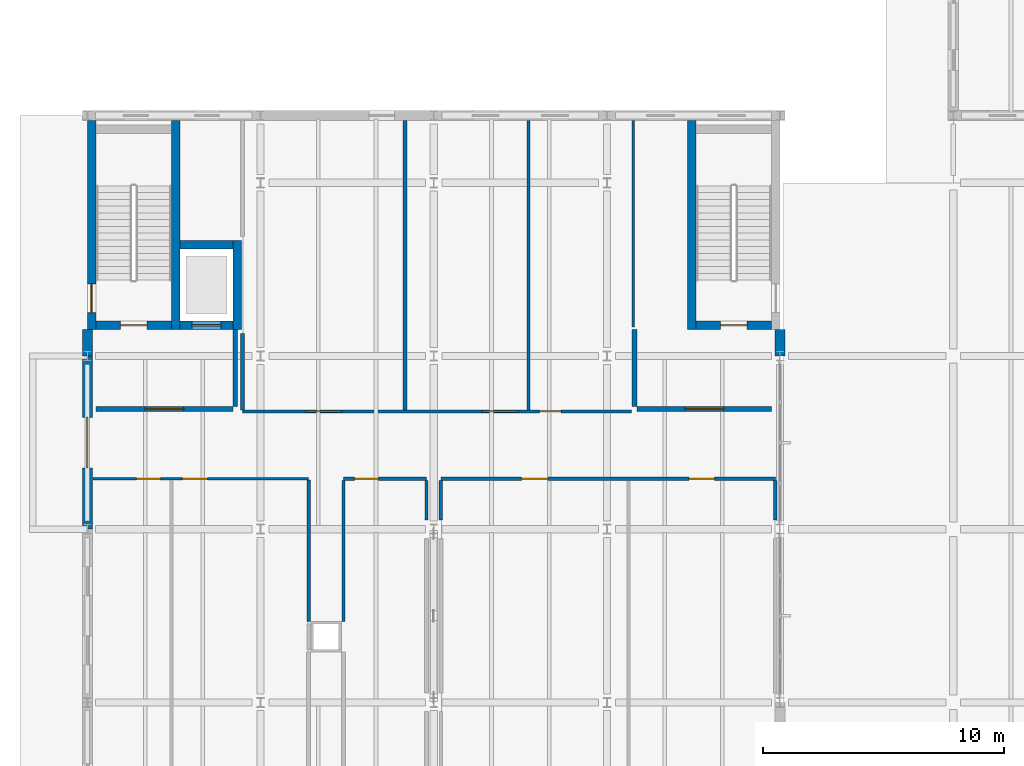
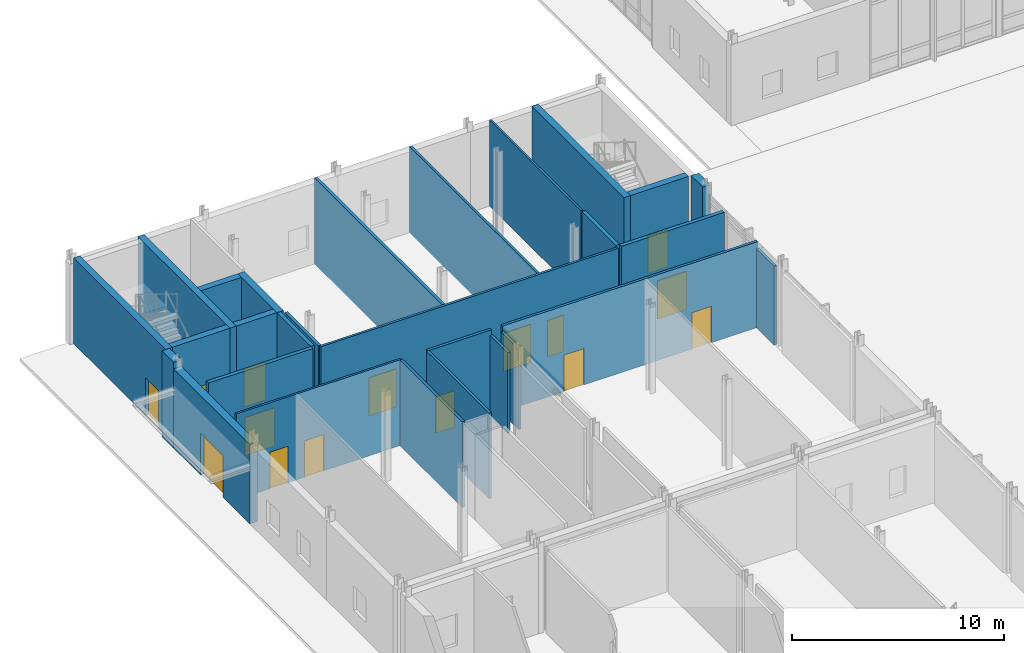
# One storey, part 66 of 89: 28 walls, 15 doors, 15 openings.
"""IFC4 building model written with IfcOpenShell, lengths in metres."""

from ifc_helpers import new_model, si_unit, direction, frame, frame_2d, origin, place, context, subcontext, project, spatial, rectangle, extrude, material, layer, layer_set, type_object, element, fill, save


model = new_model("IFC4")

# Units and contexts
model_context = context("Model", 3, precision=1e-05, world=origin(), true_north=direction((0.0, 1.0)))
body_context = subcontext(model_context, "Body", "Model", "MODEL_VIEW")
ifc_project = project(units=[si_unit("LENGTHUNIT", "METRE"), si_unit("AREAUNIT", "SQUARE_METRE"), si_unit("VOLUMEUNIT", "CUBIC_METRE"), si_unit("PLANEANGLEUNIT", "RADIAN"), si_unit("MASSUNIT", "GRAM", prefix="KILO")], contexts=[model_context])

# Site, building, storey
site_placement = place(None, origin())
site = spatial("IfcSite", under=ifc_project, at=site_placement, CompositionType="ELEMENT")
building_placement = place(site_placement, origin())
building = spatial("IfcBuilding", under=site, at=building_placement, Name="Zarrinpeak Specialist Clinic", CompositionType="ELEMENT")
storey_placement = place(building_placement, origin())
storey = spatial("IfcBuildingStorey", under=building, at=storey_placement, Name="L00", CompositionType="ELEMENT", Elevation=0.0)

# Wall, opening, door
ifc_material_1 = material(Name="Concrete C40/50", Category="concrete")
ifc_layer_1 = layer(ifc_material_1, 0.35009765625)
ifc_layer_set_1 = layer_set([ifc_layer_1], Name="Concrete C40/50")
wall_type_1 = type_object("IfcWallType", Name="WL-CR350", PredefinedType="SHEAR", material=ifc_layer_set_1)
wall_1_placement = place(storey_placement, frame((0.35009765625, 73.27490234375, 0.0), z_axis=(0.0, 0.0, 1.0), x_axis=(1.0, 0.0, 0.0)))
wall_1 = element("IfcWall", 1, at=wall_1_placement, inside=storey, type_object=wall_type_1, Name="L00 Core C09 Shear Wall STS", PredefinedType="SHEAR", context=body_context, shape_type="SweptSolid", body=[
    extrude(rectangle(XDim=3.14990234375, YDim=0.35009765625, at=frame_2d((1.574951171875, 0.0))), origin(), (0.0, 0.0, 1.0), 4.93994140625),
])
opening_1_placement = place(wall_1_placement, frame((1.02490234375, 0.0, 0.0)))
opening_1 = element("IfcOpeningElement", 2, at=opening_1_placement, cuts=wall_1, Name="Opening D-S02", PredefinedType="OPENING", context=body_context, shape_type="SweptSolid", body=[
    extrude(rectangle(XDim=1.10009765625, YDim=2.14990234375, at=frame_2d((0.550048828125, 1.074951171875))), frame((0.0, 0.18505859375, 0.0), z_axis=(0.0, -1.0, 0.0), x_axis=(1.0, 0.0, 0.0)), (0.0, 0.0, 1.0), 0.3701171875),
])
ifc_material_2 = material(Name="Powder-Coated Galvanised Steel", Category="steel")
door_type_1 = type_object("IfcDoorType", Name="DR-FD110", OperationType="SINGLE_SWING_RIGHT", PredefinedType="DOOR", material=ifc_material_2)
door_1_placement = place(opening_1_placement, origin())
door_1 = element("IfcDoor", 3, at=door_1_placement, inside=storey, type_object=door_type_1, Name="L00 Protected Stair ST-09 Fire Door", OperationType="SINGLE_SWING_RIGHT", OverallHeight=2.14990234375, OverallWidth=1.10009765625, PredefinedType="DOOR", context=body_context, shape_type="SweptSolid", body=[
    extrude(rectangle(XDim=1.10009765625, YDim=2.14990234375, at=frame_2d((0.550048828125, 1.074951171875))), frame((0.0, 0.02490234375, 0.0), z_axis=(0.0, -1.0, 0.0), x_axis=(1.0, 0.0, 0.0)), (0.0, 0.0, 1.0), 0.050048828125),
])
fill(opening_1, door_1)

wall_2_placement = place(storey_placement, frame((0.175048828125, 73.10009765625, 0.0), z_axis=(0.0, 0.0, 1.0), x_axis=(0.0, 1.0, 0.0)))
wall_2 = element("IfcWall", 4, at=wall_2_placement, inside=storey, type_object=wall_type_1, Name="L00 Core C09 Shear Wall STW", PredefinedType="SHEAR", context=body_context, shape_type="SweptSolid", body=[
    extrude(rectangle(XDim=8.68994140625, YDim=0.35009765625, at=frame_2d((4.344970703125, 0.0))), origin(), (0.0, 0.0, 1.0), 4.93994140625),
])
opening_2_placement = place(wall_2_placement, frame((0.699951171875, 0.0, 0.0)))
opening_2 = element("IfcOpeningElement", 5, at=opening_2_placement, cuts=wall_2, Name="Opening D-EX2", PredefinedType="OPENING", context=body_context, shape_type="SweptSolid", body=[
    extrude(rectangle(XDim=1.199951171875, YDim=2.14990234375, at=frame_2d((0.60009765625, 1.074951171875))), frame((0.0, 0.18505859375, 0.0), z_axis=(0.0, -1.0, 0.0), x_axis=(1.0, 0.0, 0.0)), (0.0, 0.0, 1.0), 0.3701171875),
])
ifc_material_3 = material(Name="Powder-Coated Steel and Safety Glazing", Category="steel")
door_type_2 = type_object("IfcDoorType", Name="DR-EX120", OperationType="SINGLE_SWING_LEFT", PredefinedType="DOOR", material=ifc_material_3)
door_2_placement = place(opening_2_placement, origin())
door_2 = element("IfcDoor", 6, at=door_2_placement, inside=storey, type_object=door_type_2, Name="L00 Protected Stair ST-09 Final Exit Discharge Door ED-09", OperationType="SINGLE_SWING_LEFT", OverallHeight=2.14990234375, OverallWidth=1.199951171875, PredefinedType="DOOR", context=body_context, shape_type="SweptSolid", body=[
    extrude(rectangle(XDim=1.199951171875, YDim=2.14990234375, at=frame_2d((0.60009765625, 1.074951171875))), frame((0.0, 0.02490234375, 0.0), z_axis=(0.0, -1.0, 0.0), x_axis=(1.0, 0.0, 0.0)), (0.0, 0.0, 1.0), 0.050048828125),
])
fill(opening_2, door_2)

# Wall
wall_3_placement = place(storey_placement, frame((3.675048828125, 73.10009765625, 0.0), z_axis=(0.0, 0.0, 1.0), x_axis=(0.0, 1.0, 0.0)))
element("IfcWall", 7, at=wall_3_placement, inside=storey, type_object=wall_type_1, Name="L00 Core C09 Shear Wall STE", PredefinedType="SHEAR", context=body_context, shape_type="SweptSolid", body=[
    extrude(rectangle(XDim=8.68994140625, YDim=0.35009765625, at=frame_2d((4.344970703125, 0.0))), origin(), (0.0, 0.0, 1.0), 4.93994140625),
])

# Wall, opening, door
wall_4_placement = place(storey_placement, frame((3.85009765625, 73.27490234375, 0.0), z_axis=(0.0, 0.0, 1.0), x_axis=(1.0, 0.0, 0.0)))
wall_4 = element("IfcWall", 8, at=wall_4_placement, inside=storey, type_object=wall_type_1, Name="L00 Lift LF-P5 Shaft Wall LFS", PredefinedType="SHEAR", context=body_context, shape_type="SweptSolid", body=[
    extrude(rectangle(XDim=2.199951171875, YDim=0.35009765625, at=frame_2d((1.10009765625, 0.0))), origin(), (0.0, 0.0, 1.0), 4.93994140625),
])
opening_3_placement = place(wall_4_placement, frame((0.5, 0.0, 0.0)))
opening_3 = element("IfcOpeningElement", 9, at=opening_3_placement, cuts=wall_4, Name="Opening LD-02", PredefinedType="OPENING", context=body_context, shape_type="SweptSolid", body=[
    extrude(rectangle(XDim=1.199951171875, YDim=2.199951171875, at=frame_2d((0.60009765625, 1.10009765625))), frame((0.0, 0.18505859375, 0.0), z_axis=(0.0, -1.0, 0.0), x_axis=(1.0, 0.0, 0.0)), (0.0, 0.0, 1.0), 0.3701171875),
])
door_type_3 = type_object("IfcDoorType", Name="DR-LD120", OperationType="SLIDING_TO_RIGHT", PredefinedType="DOOR", material=ifc_material_2)
door_3_placement = place(opening_3_placement, origin())
door_3 = element("IfcDoor", 10, at=door_3_placement, inside=storey, type_object=door_type_3, Name="L00 Lift LF-P5 Sliding Landing Door", OperationType="SLIDING_TO_RIGHT", OverallHeight=2.199951171875, OverallWidth=1.199951171875, PredefinedType="DOOR", context=body_context, shape_type="SweptSolid", body=[
    extrude(rectangle(XDim=1.199951171875, YDim=2.199951171875, at=frame_2d((0.60009765625, 1.10009765625))), frame((0.0, 0.02490234375, 0.0), z_axis=(0.0, -1.0, 0.0), x_axis=(1.0, 0.0, 0.0)), (0.0, 0.0, 1.0), 0.050048828125),
])
fill(opening_3, door_3)

# Walls
wall_5_placement = place(storey_placement, frame((3.85009765625, 76.625, 0.0), z_axis=(0.0, 0.0, 1.0), x_axis=(1.0, 0.0, 0.0)))
element("IfcWall", 11, at=wall_5_placement, inside=storey, type_object=wall_type_1, Name="L00 Lift LF-P5 Shaft Wall LFN", PredefinedType="SHEAR", context=body_context, shape_type="SweptSolid", body=[
    extrude(rectangle(XDim=2.199951171875, YDim=0.35009765625, at=frame_2d((1.10009765625, 0.0))), origin(), (0.0, 0.0, 1.0), 4.93994140625),
])
wall_6_placement = place(storey_placement, frame((6.22509765625, 73.10009765625, 0.0), z_axis=(0.0, 0.0, 1.0), x_axis=(0.0, 1.0, 0.0)))
element("IfcWall", 12, at=wall_6_placement, inside=storey, type_object=wall_type_1, Name="L00 Lift LF-P5 Shaft Wall LFE", PredefinedType="SHEAR", context=body_context, shape_type="SweptSolid", body=[
    extrude(rectangle(XDim=3.699951171875, YDim=0.35009765625, at=frame_2d((1.85009765625, 0.0))), origin(), (0.0, 0.0, 1.0), 4.93994140625),
])

# Wall, opening, door
wall_7_placement = place(storey_placement, frame((25.300048828125, 73.27490234375, 0.0), z_axis=(0.0, 0.0, 1.0), x_axis=(1.0, 0.0, 0.0)))
wall_7 = element("IfcWall", 13, at=wall_7_placement, inside=storey, type_object=wall_type_1, Name="L00 Core C10 Shear Wall STS", PredefinedType="SHEAR", context=body_context, shape_type="SweptSolid", body=[
    extrude(rectangle(XDim=3.14990234375, YDim=0.35009765625, at=frame_2d((1.574951171875, 0.0))), origin(), (0.0, 0.0, 1.0), 4.93994140625),
])
opening_4_placement = place(wall_7_placement, frame((1.02490234375, 0.0, 0.0)))
opening_4 = element("IfcOpeningElement", 14, at=opening_4_placement, cuts=wall_7, Name="Opening D-S02", PredefinedType="OPENING", context=body_context, shape_type="SweptSolid", body=[
    extrude(rectangle(XDim=1.10009765625, YDim=2.14990234375, at=frame_2d((0.550048828125, 1.074951171875))), frame((0.0, 0.18505859375, 0.0), z_axis=(0.0, -1.0, 0.0), x_axis=(1.0, 0.0, 0.0)), (0.0, 0.0, 1.0), 0.3701171875),
])
door_4_placement = place(opening_4_placement, origin())
door_4 = element("IfcDoor", 15, at=door_4_placement, inside=storey, type_object=door_type_1, Name="L00 Protected Stair ST-10 Fire Door", OperationType="SINGLE_SWING_RIGHT", OverallHeight=2.14990234375, OverallWidth=1.10009765625, PredefinedType="DOOR", context=body_context, shape_type="SweptSolid", body=[
    extrude(rectangle(XDim=1.10009765625, YDim=2.14990234375, at=frame_2d((0.550048828125, 1.074951171875))), frame((0.0, 0.02490234375, 0.0), z_axis=(0.0, -1.0, 0.0), x_axis=(1.0, 0.0, 0.0)), (0.0, 0.0, 1.0), 0.050048828125),
])
fill(opening_4, door_4)

# Wall
wall_8_placement = place(storey_placement, frame((25.125, 73.10009765625, 0.0), z_axis=(0.0, 0.0, 1.0), x_axis=(0.0, 1.0, 0.0)))
element("IfcWall", 16, at=wall_8_placement, inside=storey, type_object=wall_type_1, Name="L00 Core C10 Shear Wall STW", PredefinedType="SHEAR", context=body_context, shape_type="SweptSolid", body=[
    extrude(rectangle(XDim=8.68994140625, YDim=0.35009765625, at=frame_2d((4.344970703125, 0.0))), origin(), (0.0, 0.0, 1.0), 4.93994140625),
])

# Wall, opening, door
ifc_material_4 = material(Name="Precast concrete C40/50", Category="concrete")
ifc_layer_2 = layer(ifc_material_4, 0.419921875)
ifc_layer_set_2 = layer_set([ifc_layer_2], Name="Precast concrete C40/50")
wall_type_2 = type_object("IfcWallType", Name="WL-EW420", PredefinedType="STANDARD", material=ifc_layer_set_2)
wall_9_placement = place(storey_placement, frame((0.0, 72.0, 0.0), z_axis=(0.0, 0.0, 1.0), x_axis=(0.0, -1.0, 0.0)))
wall_9 = element("IfcWall", 17, at=wall_9_placement, inside=storey, type_object=wall_type_2, Name="L00 V5 Exterior GRC Wall EW-L00-V5-0221", PredefinedType="STANDARD", context=body_context, shape_type="SweptSolid", body=[
    extrude(rectangle(XDim=7.199951171875, YDim=0.419921875, at=frame_2d((3.60009765625, 0.0))), origin(), (0.0, 0.0, 1.0), 4.56494140625),
])
opening_5_placement = place(wall_9_placement, frame((2.550048828125, 0.0, 0.0)))
opening_5 = element("IfcOpeningElement", 18, at=opening_5_placement, cuts=wall_9, Name="Opening D-E02", PredefinedType="OPENING", context=body_context, shape_type="SweptSolid", body=[
    extrude(rectangle(XDim=2.10009765625, YDim=2.39990234375, at=frame_2d((1.050048828125, 1.199951171875))), frame((0.0, 0.219970703125, 0.0), z_axis=(0.0, -1.0, 0.0), x_axis=(1.0, 0.0, 0.0)), (0.0, 0.0, 1.0), 0.43994140625),
])
door_type_4 = type_object("IfcDoorType", Name="DR-ENT210", OperationType="DOUBLE_DOOR_SINGLE_SWING", PredefinedType="DOOR", material=ifc_material_3)
door_5_placement = place(opening_5_placement, origin())
door_5 = element("IfcDoor", 19, at=door_5_placement, inside=storey, type_object=door_type_4, Name="V5 Imaging West Ambulance Entrance", OperationType="DOUBLE_DOOR_SINGLE_SWING", OverallHeight=2.39990234375, OverallWidth=2.10009765625, PredefinedType="DOOR", context=body_context, shape_type="SweptSolid", body=[
    extrude(rectangle(XDim=2.10009765625, YDim=2.39990234375, at=frame_2d((1.050048828125, 1.199951171875))), frame((0.0, 0.02490234375, 0.0), z_axis=(0.0, -1.0, 0.0), x_axis=(1.0, 0.0, 0.0)), (0.0, 0.0, 1.0), 0.050048828125),
])
fill(opening_5, door_5)

# Walls
for number, where, z_axis, x_axis, name in (
    (20, (0.0, 73.10009765625, 0.0), (0.0, 0.0, 1.0), (0.0, -1.0, 0.0), "L00 V5 Exterior GRC Wall EW-L00-V5-0222"),
    (21, (28.800048828125, 72.0, 0.0), (0.0, 0.0, 1.0), (0.0, 1.0, 0.0), "L00 V5 Exterior GRC Wall EW-L00-V5-0224"),
):
    element("IfcWall", number, at=place(storey_placement, frame(where, z_axis=z_axis, x_axis=x_axis)), inside=storey, type_object=wall_type_2, Name=name, PredefinedType="STANDARD", context=body_context, shape_type="SweptSolid", body=[
        extrude(rectangle(XDim=1.10009765625, YDim=0.419921875, at=frame_2d((0.550048828125, 0.0))), origin(), (0.0, 0.0, 1.0), 4.93994140625),
    ])

# Wall, openings, doors
ifc_material_5 = material(Name="Sanitary Service Chase Plumbing Wall", Category="gypsum")
ifc_layer_3 = layer(ifc_material_5, 0.110107421875)
ifc_layer_set_3 = layer_set([ifc_layer_3], Name="Sanitary Service Chase Plumbing Wall")
wall_type_3 = type_object("IfcWallType", Name="WL-IW110", PredefinedType="PARTITIONING", material=ifc_layer_set_3)
wall_10_placement = place(storey_placement, frame((0.22998046875, 66.89990234375, 0.0), z_axis=(0.0, 0.0, 1.0), x_axis=(1.0, 0.0, 0.0)))
wall_10 = element("IfcWall", 22, at=wall_10_placement, inside=storey, type_object=wall_type_3, Name="L00 Accessible Gowning WC Partition", PredefinedType="PARTITIONING", context=body_context, shape_type="SweptSolid", body=[
    extrude(rectangle(XDim=8.969970703125, YDim=0.110107421875, at=frame_2d((4.48486328125, 0.0))), origin(), (0.0, 0.0, 1.0), 4.93994140625),
])
opening_6_placement = place(wall_10_placement, frame((1.820068359375, 0.0, 0.0)))
opening_6 = element("IfcOpeningElement", 23, at=opening_6_placement, cuts=wall_10, Name="Opening D-W02", PredefinedType="OPENING", context=body_context, shape_type="SweptSolid", body=[
    extrude(rectangle(XDim=1.0, YDim=2.10009765625, at=frame_2d((0.5, 1.050048828125))), frame((0.0, 0.06494140625, 0.0), z_axis=(0.0, -1.0, 0.0), x_axis=(1.0, 0.0, 0.0)), (0.0, 0.0, 1.0), 0.130126953125),
])
opening_7_placement = place(wall_10_placement, frame((3.719970703125, 0.0, 0.0)))
opening_7 = element("IfcOpeningElement", 24, at=opening_7_placement, cuts=wall_10, Name="Opening DS-33", PredefinedType="OPENING", context=body_context, shape_type="SweptSolid", body=[
    extrude(rectangle(XDim=1.035888671875, YDim=2.095947265625, at=frame_2d((0.51806640625, 1.0478515625))), frame((0.0, 0.06494140625, 0.0), z_axis=(0.0, -1.0, 0.0), x_axis=(1.0, 0.0, 0.0)), (0.0, 0.0, 1.0), 0.130126953125),
])
door_type_5 = type_object("IfcDoorType", Name="DR-AWC100", OperationType="SLIDING_TO_LEFT", PredefinedType="DOOR", material=ifc_material_2)
door_6_placement = place(opening_6_placement, origin())
door_6 = element("IfcDoor", 25, at=door_6_placement, inside=storey, type_object=door_type_5, Name="L00 Accessible Gowning WC Door", OperationType="SLIDING_TO_LEFT", OverallHeight=2.10009765625, OverallWidth=1.0, PredefinedType="DOOR", context=body_context, shape_type="SweptSolid", body=[
    extrude(rectangle(XDim=1.0, YDim=2.10009765625, at=frame_2d((0.5, 1.050048828125))), frame((0.0, 0.02490234375, 0.0), z_axis=(0.0, -1.0, 0.0), x_axis=(1.0, 0.0, 0.0)), (0.0, 0.0, 1.0), 0.050048828125),
])
fill(opening_6, door_6)
door_type_6 = type_object("IfcDoorType", Name="DR-SP33", OperationType="SINGLE_SWING_RIGHT", PredefinedType="DOOR", material=ifc_material_2)
door_7_placement = place(opening_7_placement, origin())
door_7 = element("IfcDoor", 26, at=door_7_placement, inside=storey, type_object=door_type_6, Name="L00 Imaging Gowning Waiting Area Door", OperationType="SINGLE_SWING_RIGHT", OverallHeight=2.095947265625, OverallWidth=1.035888671875, PredefinedType="DOOR", context=body_context, shape_type="SweptSolid", body=[
    extrude(rectangle(XDim=1.035888671875, YDim=2.095947265625, at=frame_2d((0.51806640625, 1.0478515625))), frame((0.0, 0.02490234375, 0.0), z_axis=(0.0, -1.0, 0.0), x_axis=(1.0, 0.0, 0.0)), (0.0, 0.0, 1.0), 0.050048828125),
])
fill(opening_7, door_7)

# Wall
wall_11_placement = place(storey_placement, frame((22.699951171875, 73.199951171875, 0.0), z_axis=(0.0, 0.0, 1.0), x_axis=(0.0, 1.0, 0.0)))
element("IfcWall", 27, at=wall_11_placement, inside=storey, type_object=wall_type_3, Name="L00 Contrast Prep Washroom Dividing Partition", PredefinedType="PARTITIONING", context=body_context, shape_type="SweptSolid", body=[
    extrude(rectangle(XDim=8.60009765625, YDim=0.110107421875, at=frame_2d((4.300048828125, 0.0))), origin(), (0.0, 0.0, 1.0), 4.93994140625),
])

# Wall, openings, doors
ifc_material_6 = material(Name="Moisture-Resistant Wet-Room Partition", Category="gypsum")
ifc_layer_4 = layer(ifc_material_6, 0.125)
ifc_layer_set_4 = layer_set([ifc_layer_4], Name="Moisture-Resistant Wet-Room Partition")
wall_type_4 = type_object("IfcWallType", Name="WL-IW125W", PredefinedType="PARTITIONING", material=ifc_layer_set_4)
wall_12_placement = place(storey_placement, frame((6.449951171875, 69.699951171875, 0.0), z_axis=(0.0, 0.0, 1.0), x_axis=(1.0, 0.0, 0.0)))
wall_12 = element("IfcWall", 28, at=wall_12_placement, inside=storey, type_object=wall_type_4, Name="L00 Contrast Prep Washroom Partition", PredefinedType="PARTITIONING", context=body_context, shape_type="SweptSolid", body=[
    extrude(rectangle(XDim=16.179931640625, YDim=0.125, at=frame_2d((8.08984375, 0.0))), origin(), (0.0, 0.0, 1.0), 4.93994140625),
])
opening_8_placement = place(wall_12_placement, frame((12.35009765625, 0.0, 0.0)))
opening_8 = element("IfcOpeningElement", 29, at=opening_8_placement, cuts=wall_12, Name="Opening D-W01", PredefinedType="OPENING", context=body_context, shape_type="SweptSolid", body=[
    extrude(rectangle(XDim=0.89990234375, YDim=2.10009765625, at=frame_2d((0.449951171875, 1.050048828125))), frame((0.0, 0.072509765625, 0.0), z_axis=(0.0, -1.0, 0.0), x_axis=(1.0, 0.0, 0.0)), (0.0, 0.0, 1.0), 0.14501953125),
])
opening_9_placement = place(wall_12_placement, frame((9.949951171875, 0.0, 0.0)))
opening_9 = element("IfcOpeningElement", 30, at=opening_9_placement, cuts=wall_12, Name="Opening D-B01", PredefinedType="OPENING", context=body_context, shape_type="SweptSolid", body=[
    extrude(rectangle(XDim=1.5, YDim=2.199951171875, at=frame_2d((0.75, 1.10009765625))), frame((0.0, 0.072509765625, 0.0), z_axis=(0.0, -1.0, 0.0), x_axis=(1.0, 0.0, 0.0)), (0.0, 0.0, 1.0), 0.14501953125),
])
opening_10_placement = place(wall_12_placement, frame((2.625, 0.0, 0.0)))
opening_10 = element("IfcOpeningElement", 31, at=opening_10_placement, cuts=wall_12, Name="Opening D-B01", PredefinedType="OPENING", context=body_context, shape_type="SweptSolid", body=[
    extrude(rectangle(XDim=1.5, YDim=2.199951171875, at=frame_2d((0.75, 1.10009765625))), frame((0.0, 0.072509765625, 0.0), z_axis=(0.0, -1.0, 0.0), x_axis=(1.0, 0.0, 0.0)), (0.0, 0.0, 1.0), 0.14501953125),
])
door_type_7 = type_object("IfcDoorType", Name="DR-BED150", OperationType="DOUBLE_DOOR_SINGLE_SWING", PredefinedType="DOOR", material=ifc_material_2)
door_8_placement = place(opening_9_placement, frame((1.5, 0.0, 0.0), z_axis=(0.0, 0.0, 1.0), x_axis=(-1.0, 0.0, 0.0)))
door_8 = element("IfcDoor", 32, at=door_8_placement, inside=storey, type_object=door_type_7, Name="L00 3T MRI Diagnostic Suite Door", OperationType="DOUBLE_DOOR_SINGLE_SWING", OverallHeight=2.199951171875, OverallWidth=1.5, PredefinedType="DOOR", context=body_context, shape_type="SweptSolid", body=[
    extrude(rectangle(XDim=1.5, YDim=2.199951171875, at=frame_2d((0.75, 1.10009765625))), frame((0.0, 0.02490234375, 0.0), z_axis=(0.0, -1.0, 0.0), x_axis=(1.0, 0.0, 0.0)), (0.0, 0.0, 1.0), 0.050048828125),
])
fill(opening_9, door_8)
door_9_placement = place(opening_10_placement, frame((1.5, 0.0, 0.0), z_axis=(0.0, 0.0, 1.0), x_axis=(-1.0, 0.0, 0.0)))
door_9 = element("IfcDoor", 33, at=door_9_placement, inside=storey, type_object=door_type_7, Name="L00 128-Slice CT Scanner Suite Door", OperationType="DOUBLE_DOOR_SINGLE_SWING", OverallHeight=2.199951171875, OverallWidth=1.5, PredefinedType="DOOR", context=body_context, shape_type="SweptSolid", body=[
    extrude(rectangle(XDim=1.5, YDim=2.199951171875, at=frame_2d((0.75, 1.10009765625))), frame((0.0, 0.02490234375, 0.0), z_axis=(0.0, -1.0, 0.0), x_axis=(1.0, 0.0, 0.0)), (0.0, 0.0, 1.0), 0.050048828125),
])
fill(opening_10, door_9)
door_type_8 = type_object("IfcDoorType", Name="DR-WC90", OperationType="SINGLE_SWING_RIGHT", PredefinedType="DOOR", material=ifc_material_2)
door_10_placement = place(opening_8_placement, frame((0.89990234375, 0.0, 0.0), z_axis=(0.0, 0.0, 1.0), x_axis=(-1.0, 0.0, 0.0)))
door_10 = element("IfcDoor", 34, at=door_10_placement, inside=storey, type_object=door_type_8, Name="L00 Contrast Prep Washroom Door", OperationType="SINGLE_SWING_RIGHT", OverallHeight=2.10009765625, OverallWidth=0.89990234375, PredefinedType="DOOR", context=body_context, shape_type="SweptSolid", body=[
    extrude(rectangle(XDim=0.89990234375, YDim=2.10009765625, at=frame_2d((0.449951171875, 1.050048828125))), frame((0.0, 0.02490234375, 0.0), z_axis=(0.0, -1.0, 0.0), x_axis=(1.0, 0.0, 0.0)), (0.0, 0.0, 1.0), 0.050048828125),
])
fill(opening_8, door_10)

# Wall
wall_13_placement = place(storey_placement, frame((18.35009765625, 69.762451171875, 0.0), z_axis=(0.0, 0.0, 1.0), x_axis=(0.0, 1.0, 0.0)))
element("IfcWall", 35, at=wall_13_placement, inside=storey, type_object=wall_type_4, Name="L00 Contrast Prep Washroom Dividing Partition", PredefinedType="PARTITIONING", context=body_context, shape_type="SweptSolid", body=[
    extrude(rectangle(XDim=12.03759765625, YDim=0.125, at=frame_2d((6.018798828125, 0.0))), origin(), (0.0, 0.0, 1.0), 4.93994140625),
])

# Wall, openings, doors
ifc_material_7 = material(Name="Acoustic Consultation Stud Partition", Category="gypsum")
ifc_layer_5 = layer(ifc_material_7, 0.14208984375)
ifc_layer_set_5 = layer_set([ifc_layer_5], Name="Acoustic Consultation Stud Partition")
wall_type_5 = type_object("IfcWallType", Name="WL-IW142", PredefinedType="PARTITIONING", material=ifc_layer_set_5)
wall_14_placement = place(storey_placement, frame((14.699951171875, 66.89990234375, 0.0), z_axis=(0.0, 0.0, 1.0), x_axis=(1.0, 0.0, 0.0)))
wall_14 = element("IfcWall", 36, at=wall_14_placement, inside=storey, type_object=wall_type_5, Name="L00 Specialist Consultation Room 1 Partition", PredefinedType="PARTITIONING", context=body_context, shape_type="SweptSolid", body=[
    extrude(rectangle(XDim=13.900146484375, YDim=0.14208984375, at=frame_2d((6.9501953125, 0.0))), origin(), (0.0, 0.0, 1.0), 4.93994140625),
])
opening_11_placement = place(wall_14_placement, frame((10.319091796875, 0.0, 0.0)))
opening_11 = element("IfcOpeningElement", 37, at=opening_11_placement, cuts=wall_14, Name="Opening DS-34", PredefinedType="OPENING", context=body_context, shape_type="SweptSolid", body=[
    extrude(rectangle(XDim=1.06201171875, YDim=2.095947265625, at=frame_2d((0.531005859375, 1.0478515625))), frame((0.0, 0.0810546875, 0.0), z_axis=(0.0, -1.0, 0.0), x_axis=(1.0, 0.0, 0.0)), (0.0, 0.0, 1.0), 0.162109375),
])
opening_12_placement = place(wall_14_placement, frame((3.35595703125, 0.0, 0.0)))
opening_12 = element("IfcOpeningElement", 38, at=opening_12_placement, cuts=wall_14, Name="Opening DS-35", PredefinedType="OPENING", context=body_context, shape_type="SweptSolid", body=[
    extrude(rectangle(XDim=1.087890625, YDim=2.095947265625, at=frame_2d((0.5439453125, 1.0478515625))), frame((0.0, 0.0810546875, 0.0), z_axis=(0.0, -1.0, 0.0), x_axis=(1.0, 0.0, 0.0)), (0.0, 0.0, 1.0), 0.162109375),
])
door_type_9 = type_object("IfcDoorType", Name="DR-SP34", OperationType="SINGLE_SWING_LEFT", PredefinedType="DOOR", material=ifc_material_2)
door_11_placement = place(opening_11_placement, origin())
door_11 = element("IfcDoor", 39, at=door_11_placement, inside=storey, type_object=door_type_9, Name="L00 Specialist Consultation Room 1 Door", OperationType="SINGLE_SWING_LEFT", OverallHeight=2.095947265625, OverallWidth=1.06201171875, PredefinedType="DOOR", context=body_context, shape_type="SweptSolid", body=[
    extrude(rectangle(XDim=1.06201171875, YDim=2.095947265625, at=frame_2d((0.531005859375, 1.0478515625))), frame((0.0, 0.02490234375, 0.0), z_axis=(0.0, -1.0, 0.0), x_axis=(1.0, 0.0, 0.0)), (0.0, 0.0, 1.0), 0.050048828125),
])
fill(opening_11, door_11)
door_type_10 = type_object("IfcDoorType", Name="DR-SP35", OperationType="SINGLE_SWING_RIGHT", PredefinedType="DOOR", material=ifc_material_2)
door_12_placement = place(opening_12_placement, origin())
door_12 = element("IfcDoor", 40, at=door_12_placement, inside=storey, type_object=door_type_10, Name="L00 Specialist Consultation Room 2 Door", OperationType="SINGLE_SWING_RIGHT", OverallHeight=2.095947265625, OverallWidth=1.087890625, PredefinedType="DOOR", context=body_context, shape_type="SweptSolid", body=[
    extrude(rectangle(XDim=1.087890625, YDim=2.095947265625, at=frame_2d((0.5439453125, 1.0478515625))), frame((0.0, 0.02490234375, 0.0), z_axis=(0.0, -1.0, 0.0), x_axis=(1.0, 0.0, 0.0)), (0.0, 0.0, 1.0), 0.050048828125),
])
fill(opening_12, door_12)

# Walls
wall_15_placement = place(storey_placement, frame((9.199951171875, 60.9599609375, 0.0), z_axis=(0.0, 0.0, 1.0), x_axis=(0.0, 1.0, 0.0)))
element("IfcWall", 41, at=wall_15_placement, inside=storey, type_object=wall_type_5, Name="L00 Imaging Gowning Waiting Area Dividing Partition", PredefinedType="PARTITIONING", context=body_context, shape_type="SweptSolid", body=[
    extrude(rectangle(XDim=5.885009765625, YDim=0.14208984375, at=frame_2d((2.9423828125, 0.0))), origin(), (0.0, 0.0, 1.0), 4.93994140625),
])
wall_16_placement = place(storey_placement, frame((10.64990234375, 60.9599609375, 0.0), z_axis=(0.0, 0.0, 1.0), x_axis=(0.0, 1.0, 0.0)))
element("IfcWall", 42, at=wall_16_placement, inside=storey, type_object=wall_type_5, Name="L00 Radiology Reporting Control Room Dividing Partition", PredefinedType="PARTITIONING", context=body_context, shape_type="SweptSolid", body=[
    extrude(rectangle(XDim=5.864990234375, YDim=0.14208984375, at=frame_2d((2.9326171875, 0.0))), origin(), (0.0, 0.0, 1.0), 4.93994140625),
])
wall_17_placement = place(storey_placement, frame((14.10009765625, 65.179931640625, 0.0), z_axis=(0.0, 0.0, 1.0), x_axis=(0.0, 1.0, 0.0)))
element("IfcWall", 43, at=wall_17_placement, inside=storey, type_object=wall_type_5, Name="L00 Radiology Reporting Control Room Dividing Partition", PredefinedType="PARTITIONING", context=body_context, shape_type="SweptSolid", body=[
    extrude(rectangle(XDim=1.64501953125, YDim=0.14208984375, at=frame_2d((0.822509765625, 0.0))), origin(), (0.0, 0.0, 1.0), 4.635009765625),
])
wall_18_placement = place(storey_placement, frame((28.60009765625, 65.179931640625, 0.0), z_axis=(0.0, 0.0, 1.0), x_axis=(0.0, 1.0, 0.0)))
element("IfcWall", 44, at=wall_18_placement, inside=storey, type_object=wall_type_5, Name="L00 Specialist Consultation Room 1 Dividing Partition", PredefinedType="PARTITIONING", context=body_context, shape_type="SweptSolid", body=[
    extrude(rectangle(XDim=1.649169921875, YDim=0.14208984375, at=frame_2d((0.82470703125, 0.0))), origin(), (0.0, 0.0, 1.0), 4.56494140625),
])

# Wall, opening, door
ifc_material_8 = material(Name="Insulated Clinical Gypsum Stud Partition", Category="gypsum")
ifc_layer_6 = layer(ifc_material_8, 0.14990234375)
ifc_layer_set_6 = layer_set([ifc_layer_6], Name="Insulated Clinical Gypsum Stud Partition")
wall_type_6 = type_object("IfcWallType", Name="WL-IW150", PredefinedType="PARTITIONING", material=ifc_layer_set_6)
wall_19_placement = place(storey_placement, frame((10.64990234375, 66.89990234375, 0.0), z_axis=(0.0, 0.0, 1.0), x_axis=(1.0, 0.0, 0.0)))
wall_19 = element("IfcWall", 45, at=wall_19_placement, inside=storey, type_object=wall_type_6, Name="L00 Radiology Reporting Control Room Partition", PredefinedType="PARTITIONING", context=body_context, shape_type="SweptSolid", body=[
    extrude(rectangle(XDim=3.4501953125, YDim=0.14990234375, at=frame_2d((1.72509765625, 0.0))), origin(), (0.0, 0.0, 1.0), 4.93994140625),
])
opening_13_placement = place(wall_19_placement, frame((0.449951171875, 0.0, 0.0)))
opening_13 = element("IfcOpeningElement", 46, at=opening_13_placement, cuts=wall_19, Name="Opening DS-32", PredefinedType="OPENING", context=body_context, shape_type="SweptSolid", body=[
    extrude(rectangle(XDim=1.010009765625, YDim=2.095947265625, at=frame_2d((0.5048828125, 1.0478515625))), frame((0.0, 0.0849609375, 0.0), z_axis=(0.0, -1.0, 0.0), x_axis=(1.0, 0.0, 0.0)), (0.0, 0.0, 1.0), 0.169921875),
])
door_type_11 = type_object("IfcDoorType", Name="DR-SP32", OperationType="SINGLE_SWING_LEFT", PredefinedType="DOOR", material=ifc_material_2)
door_13_placement = place(opening_13_placement, origin())
door_13 = element("IfcDoor", 47, at=door_13_placement, inside=storey, type_object=door_type_11, Name="L00 Radiology Reporting Control Room Door", OperationType="SINGLE_SWING_LEFT", OverallHeight=2.095947265625, OverallWidth=1.010009765625, PredefinedType="DOOR", context=body_context, shape_type="SweptSolid", body=[
    extrude(rectangle(XDim=1.010009765625, YDim=2.095947265625, at=frame_2d((0.5048828125, 1.0478515625))), frame((0.0, 0.02490234375, 0.0), z_axis=(0.0, -1.0, 0.0), x_axis=(1.0, 0.0, 0.0)), (0.0, 0.0, 1.0), 0.050048828125),
])
fill(opening_13, door_13)

# Walls
wall_20_placement = place(storey_placement, frame((14.699951171875, 65.179931640625, 0.0), z_axis=(0.0, 0.0, 1.0), x_axis=(0.0, 1.0, 0.0)))
element("IfcWall", 48, at=wall_20_placement, inside=storey, type_object=wall_type_6, Name="L00 Specialist Consultation Room 2 Dividing Partition", PredefinedType="PARTITIONING", context=body_context, shape_type="SweptSolid", body=[
    extrude(rectangle(XDim=1.649169921875, YDim=0.14990234375, at=frame_2d((0.82470703125, 0.0))), origin(), (0.0, 0.0, 1.0), 4.635009765625),
])
ifc_material_9 = material(Name="Lead-Lined X-Ray Diagnostic Partition", Category="gypsum")
ifc_layer_7 = layer(ifc_material_9, 0.157958984375)
ifc_layer_set_7 = layer_set([ifc_layer_7], Name="Lead-Lined X-Ray Diagnostic Partition")
wall_type_7 = type_object("IfcWallType", Name="WL-IW158", PredefinedType="PARTITIONING", material=ifc_layer_set_7)
wall_21_placement = place(storey_placement, frame((6.449951171875, 69.762451171875, 0.0), z_axis=(0.0, 0.0, 1.0), x_axis=(0.0, 1.0, 0.0)))
element("IfcWall", 49, at=wall_21_placement, inside=storey, type_object=wall_type_7, Name="L00 128-Slice CT Scanner Suite Dividing Partition", PredefinedType="PARTITIONING", context=body_context, shape_type="SweptSolid", body=[
    extrude(rectangle(XDim=3.16259765625, YDim=0.157958984375, at=frame_2d((1.581298828125, 0.0))), origin(), (0.0, 0.0, 1.0), 4.93994140625),
])
wall_22_placement = place(storey_placement, frame((13.199951171875, 69.762451171875, 0.0), z_axis=(0.0, 0.0, 1.0), x_axis=(0.0, 1.0, 0.0)))
element("IfcWall", 50, at=wall_22_placement, inside=storey, type_object=wall_type_7, Name="L00 3T MRI Diagnostic Suite Dividing Partition", PredefinedType="PARTITIONING", context=body_context, shape_type="SweptSolid", body=[
    extrude(rectangle(XDim=12.03759765625, YDim=0.157958984375, at=frame_2d((6.018798828125, 0.0))), origin(), (0.0, 0.0, 1.0), 4.93994140625),
])

# Wall, opening, door
ifc_material_10 = material(Name="Autoclaved Aerated Concrete Blockwork", Category="masonry")
ifc_layer_8 = layer(ifc_material_10, 0.199951171875)
ifc_layer_set_8 = layer_set([ifc_layer_8], Name="Autoclaved Aerated Concrete Blockwork")
wall_type_8 = type_object("IfcWallType", Name="WL-IW200", PredefinedType="PARTITIONING", material=ifc_layer_set_8)
wall_23_placement = place(storey_placement, frame((0.35009765625, 69.800048828125, 0.0), z_axis=(0.0, 0.0, 1.0), x_axis=(1.0, 0.0, 0.0)))
wall_23 = element("IfcWall", 51, at=wall_23_placement, inside=storey, type_object=wall_type_8, Name="L00 C09 Protected Lobby Partition LBF", PredefinedType="PARTITIONING", context=body_context, shape_type="SweptSolid", body=[
    extrude(rectangle(XDim=5.699951171875, YDim=0.199951171875, at=frame_2d((2.85009765625, 0.0))), origin(), (0.0, 0.0, 1.0), 4.93994140625),
])
opening_14_placement = place(wall_23_placement, frame((2.050048828125, 0.0, 0.0)))
opening_14 = element("IfcOpeningElement", 52, at=opening_14_placement, cuts=wall_23, Name="Opening D-L01", PredefinedType="OPENING", context=body_context, shape_type="SweptSolid", body=[
    extrude(rectangle(XDim=1.60009765625, YDim=2.199951171875, at=frame_2d((0.800048828125, 1.10009765625))), frame((0.0, 0.10986328125, 0.0), z_axis=(0.0, -1.0, 0.0), x_axis=(1.0, 0.0, 0.0)), (0.0, 0.0, 1.0), 0.219970703125),
])
door_type_12 = type_object("IfcDoorType", Name="DR-LB160", OperationType="DOUBLE_DOOR_SINGLE_SWING", PredefinedType="DOOR", material=ifc_material_2)
door_14_placement = place(opening_14_placement, origin())
door_14 = element("IfcDoor", 53, at=door_14_placement, inside=storey, type_object=door_type_12, Name="L00 C09 Lobby Hold-Open Fire Door", OperationType="DOUBLE_DOOR_SINGLE_SWING", OverallHeight=2.199951171875, OverallWidth=1.60009765625, PredefinedType="DOOR", context=body_context, shape_type="SweptSolid", body=[
    extrude(rectangle(XDim=1.60009765625, YDim=2.199951171875, at=frame_2d((0.800048828125, 1.10009765625))), frame((0.0, 0.02490234375, 0.0), z_axis=(0.0, -1.0, 0.0), x_axis=(1.0, 0.0, 0.0)), (0.0, 0.0, 1.0), 0.050048828125),
])
fill(opening_14, door_14)

# Wall
wall_24_placement = place(storey_placement, frame((6.14990234375, 69.89990234375, 0.0), z_axis=(0.0, 0.0, 1.0), x_axis=(0.0, 1.0, 0.0)))
element("IfcWall", 54, at=wall_24_placement, inside=storey, type_object=wall_type_8, Name="L00 C09 Protected Lobby Partition LBE", PredefinedType="PARTITIONING", context=body_context, shape_type="SweptSolid", body=[
    extrude(rectangle(XDim=3.2001953125, YDim=0.199951171875, at=frame_2d((1.60009765625, 0.0))), origin(), (0.0, 0.0, 1.0), 4.93994140625),
])

# Wall, opening, door
wall_25_placement = place(storey_placement, frame((22.85009765625, 69.800048828125, 0.0), z_axis=(0.0, 0.0, 1.0), x_axis=(1.0, 0.0, 0.0)))
wall_25 = element("IfcWall", 55, at=wall_25_placement, inside=storey, type_object=wall_type_8, Name="L00 C10 Protected Lobby Partition LBF", PredefinedType="PARTITIONING", context=body_context, shape_type="SweptSolid", body=[
    extrude(rectangle(XDim=5.599853515625, YDim=0.199951171875, at=frame_2d((2.7998046875, 0.0))), origin(), (0.0, 0.0, 1.0), 4.93994140625),
])
opening_15_placement = place(wall_25_placement, frame((2.0, 0.0, 0.0)))
opening_15 = element("IfcOpeningElement", 56, at=opening_15_placement, cuts=wall_25, Name="Opening D-L01", PredefinedType="OPENING", context=body_context, shape_type="SweptSolid", body=[
    extrude(rectangle(XDim=1.60009765625, YDim=2.199951171875, at=frame_2d((0.800048828125, 1.10009765625))), frame((0.0, 0.10986328125, 0.0), z_axis=(0.0, -1.0, 0.0), x_axis=(1.0, 0.0, 0.0)), (0.0, 0.0, 1.0), 0.219970703125),
])
door_15_placement = place(opening_15_placement, origin())
door_15 = element("IfcDoor", 57, at=door_15_placement, inside=storey, type_object=door_type_12, Name="L00 C10 Lobby Hold-Open Fire Door", OperationType="DOUBLE_DOOR_SINGLE_SWING", OverallHeight=2.199951171875, OverallWidth=1.60009765625, PredefinedType="DOOR", context=body_context, shape_type="SweptSolid", body=[
    extrude(rectangle(XDim=1.60009765625, YDim=2.199951171875, at=frame_2d((0.800048828125, 1.10009765625))), frame((0.0, 0.02490234375, 0.0), z_axis=(0.0, -1.0, 0.0), x_axis=(1.0, 0.0, 0.0)), (0.0, 0.0, 1.0), 0.050048828125),
])
fill(opening_15, door_15)

# Wall
wall_26_placement = place(storey_placement, frame((22.75, 69.89990234375, 0.0), z_axis=(0.0, 0.0, 1.0), x_axis=(0.0, 1.0, 0.0)))
element("IfcWall", 58, at=wall_26_placement, inside=storey, type_object=wall_type_8, Name="L00 C10 Protected Lobby Partition LBW", PredefinedType="PARTITIONING", context=body_context, shape_type="SweptSolid", body=[
    extrude(rectangle(XDim=3.2001953125, YDim=0.199951171875, at=frame_2d((1.60009765625, 0.0))), origin(), (0.0, 0.0, 1.0), 4.93994140625),
])

save(model, "model.ifc")
